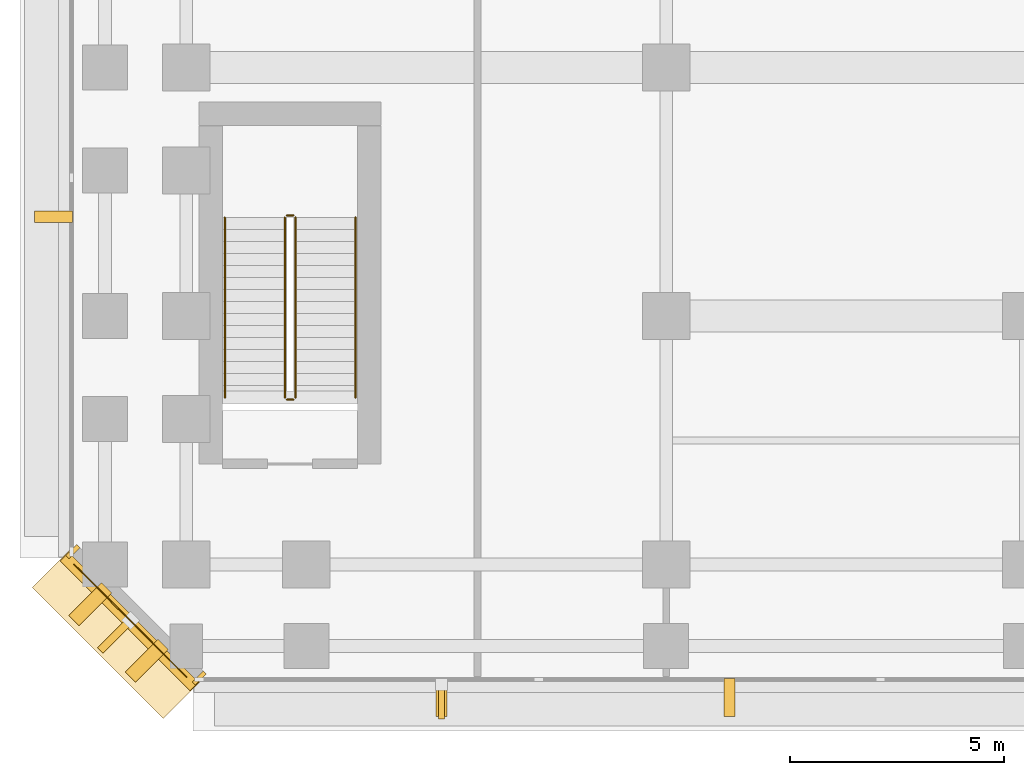
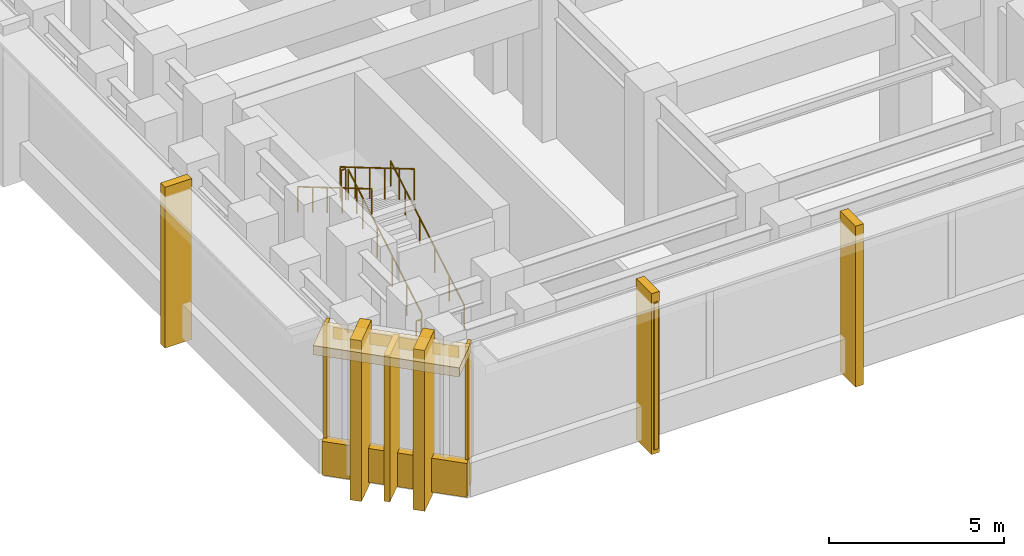
# One storey, part 13 of 20: 10 coverings, 6 railings, 2 shading devices.
"""IFC4 building model written with IfcOpenShell, lengths in metres."""

import ifcopenshell
import ifcopenshell.guid

model = None  # the IFC model being written
_history = None  # IfcOwnerHistory: only IFC2X3 demands one
_inside = {}  # id of a spatial element -> (the spatial element, [elements in it])
_under = {}  # id of a project, library or spatial element -> (it, [spatial elements below it])
_declared = {}  # id of a project -> (the project, [libraries it declares])
_typed = {}  # id of a type object -> (the type object, [elements of that type])
_made_of = {}  # id of a material, layer set ... -> (it, [elements and type objects made of it])


def new_model(schema):
    """Start an empty IFC model of exactly this schema.

    Asked for "IFC4X3", IfcOpenShell would pick the latest addendum, in which some entities
    have other attributes; the version numbers below select the first issue.
    IFC2X3 requires an IfcOwnerHistory on every rooted entity: one is made here for all.
    """
    global model, _history
    if schema == "IFC4X3":
        model = ifcopenshell.file(schema_version=(4, 3, 0, 0))
    else:
        model = ifcopenshell.file(schema=schema)
    _inside.clear()
    _under.clear()
    _declared.clear()
    _typed.clear()
    _made_of.clear()
    _history = None
    if model.schema == "IFC2X3":
        org = make("IfcOrganization", Name="unknown")
        user = make(
            "IfcPersonAndOrganization",
            ThePerson=make("IfcPerson", FamilyName="unknown"),
            TheOrganization=org,
        )
        app = make(
            "IfcApplication",
            ApplicationDeveloper=org,
            Version="unknown",
            ApplicationFullName="unknown",
            ApplicationIdentifier="unknown",
        )
        _history = make(
            "IfcOwnerHistory",
            OwningUser=user,
            OwningApplication=app,
            ChangeAction="ADDED",
            CreationDate=0,
        )
    return model


def make(cls, **values):
    """One entity of the class cls with the attributes given. An attribute that is None is left unset."""
    return model.create_entity(
        cls, **{name: value for name, value in values.items() if value is not None}
    )


def rooted(cls, **values):
    """An entity with a GlobalId (a new one), such as an element, a storey or a relation."""
    return make(cls, GlobalId=ifcopenshell.guid.new(), OwnerHistory=_history, **values)


def si_unit(unit_type, name, prefix=None):
    """IfcSIUnit, for example si_unit("LENGTHUNIT", "METRE", prefix="MILLI")."""
    return make("IfcSIUnit", UnitType=unit_type, Prefix=prefix, Name=name)


def assignment(units):
    """IfcUnitAssignment: the units of a project."""
    return None if units is None else make("IfcUnitAssignment", Units=units)


def point(xyz):
    """IfcCartesianPoint."""
    return None if xyz is None else make("IfcCartesianPoint", Coordinates=xyz)


def direction(xyz):
    """IfcDirection."""
    return None if xyz is None else make("IfcDirection", DirectionRatios=xyz)


def frame(location, z_axis=None, x_axis=None):
    """IfcAxis2Placement3D, a coordinate frame: its origin and axes. An axis left out is left unset."""
    return make(
        "IfcAxis2Placement3D",
        Location=point(location),
        Axis=direction(z_axis),
        RefDirection=direction(x_axis),
    )


def frame_2d(location, x_axis=None):
    """IfcAxis2Placement2D, a coordinate frame in the plane: its origin and x axis."""
    return make(
        "IfcAxis2Placement2D", Location=point(location), RefDirection=direction(x_axis)
    )


def origin():
    """The frame at (0, 0, 0) with its axes left unset."""
    return frame((0.0, 0.0, 0.0))


def origin_2d():
    """The frame at (0, 0) in the plane with its x axis left unset."""
    return frame_2d((0.0, 0.0))


def place(relative_to, where):
    """IfcLocalPlacement: puts the frame where relative to a parent placement (None: the world)."""
    return make(
        "IfcLocalPlacement", PlacementRelTo=relative_to, RelativePlacement=where
    )


def context(
    kind, dimensions, precision=None, world=None, true_north=None, identifier=None
):
    """IfcGeometricRepresentationContext, for example the 3D "Model" context."""
    return make(
        "IfcGeometricRepresentationContext",
        ContextIdentifier=identifier,
        ContextType=kind,
        CoordinateSpaceDimension=dimensions,
        Precision=precision,
        WorldCoordinateSystem=world,
        TrueNorth=true_north,
    )


def subcontext(parent, identifier, kind, view, scale=None):
    """IfcGeometricRepresentationSubContext, for example "Body" below "Model"."""
    return make(
        "IfcGeometricRepresentationSubContext",
        ContextIdentifier=identifier,
        ContextType=kind,
        ParentContext=parent,
        TargetScale=scale,
        TargetView=view,
    )


def project(units=None, contexts=None):
    """IfcProject with its units and contexts."""
    return rooted(
        "IfcProject",
        Name="project",
        RepresentationContexts=contexts,
        UnitsInContext=assignment(units),
    )


def spatial(cls, under=None, at=None, **own):
    """A site, building, storey or space (cls), placed at a placement, below another one or the project."""
    s = rooted(cls, ObjectPlacement=at, **own)
    if under is not None:
        _under.setdefault(under.id(), (under, []))[1].append(s)
    return s


def profile(cls, at=None, kind="AREA", **sizes):
    """A parametric profile (cls). Its sizes go by their IFC names, for example OverallWidth=200.0."""
    return make(cls, ProfileType=kind, Position=at, **sizes)


def rectangle(**sizes):
    """IfcRectangleProfileDef."""
    return profile("IfcRectangleProfileDef", **sizes)


def circle(**sizes):
    """IfcCircleProfileDef."""
    return profile("IfcCircleProfileDef", **sizes)


def extrude(swept, where, along, depth):
    """IfcExtrudedAreaSolid: the profile swept, set in the frame where, extruded along a direction by depth."""
    return make(
        "IfcExtrudedAreaSolid",
        SweptArea=swept,
        Position=where,
        ExtrudedDirection=direction(along),
        Depth=depth,
    )


def shape(context_of_items, identifier, shape_type, items):
    """IfcShapeRepresentation: the items that make up one representation, for example the "Body"."""
    return make(
        "IfcShapeRepresentation",
        ContextOfItems=context_of_items,
        RepresentationIdentifier=identifier,
        RepresentationType=shape_type,
        Items=items,
    )


def material(Name=None, Category=None):
    """IfcMaterial."""
    return make("IfcMaterial", Name=Name, Category=Category)


def layer(
    of_material, thickness, ventilated=None, Name=None, Category=None, Priority=None
):
    """IfcMaterialLayer: one layer of a wall or slab, of a material (None: an air gap)."""
    return make(
        "IfcMaterialLayer",
        Material=of_material,
        LayerThickness=thickness,
        IsVentilated=ventilated,
        Name=Name,
        Category=Category,
        Priority=Priority,
    )


def layer_set(layers, Name=None):
    """IfcMaterialLayerSet."""
    return make("IfcMaterialLayerSet", MaterialLayers=layers, LayerSetName=Name)


def material_profile(
    of_material, cross_section, Name=None, Category=None, Priority=None
):
    """IfcMaterialProfile: a cross section and its material."""
    return make(
        "IfcMaterialProfile",
        Name=Name,
        Material=of_material,
        Profile=cross_section,
        Priority=Priority,
        Category=Category,
    )


def profile_set(profiles, Name=None, composite=None):
    """IfcMaterialProfileSet."""
    return make(
        "IfcMaterialProfileSet",
        Name=Name,
        MaterialProfiles=profiles,
        CompositeProfile=composite,
    )


def made_of(thing, what):
    """Note that an element or type object is made of a material, layer set ...; save() writes the relation."""
    if what is not None:
        _made_of.setdefault(what.id(), (what, []))[1].append(thing)
    return thing


def type_object(cls, material=None, **own):
    """A type object (cls), such as IfcWallType, which elements share."""
    return made_of(rooted(cls, **own), material)


def element(
    cls,
    number,
    at=None,
    inside=None,
    cuts=None,
    type_object=None,
    material=None,
    context=None,
    identifier="Body",
    shape_type=None,
    held_by="IfcProductDefinitionShape",
    body=None,
    shapes=None,
    **own,
):
    """One element of the class cls, such as IfcWall. Its Tag is "e" and its number.

    at: its placement. inside: the storey or other place that contains it. cuts: it is an
    opening in that element (IfcRelVoidsElement). A single representation is given by context,
    identifier, shape_type and body (its items); several are given by shapes. held_by: the class
    of the entity that holds the representations. save() writes the other relations.
    """
    e = rooted(cls, Tag="e%d" % number, ObjectPlacement=at, **own)
    if body is not None:
        shapes = [shape(context, identifier, shape_type, body)]
    if shapes is not None:
        e.Representation = make(held_by, Representations=shapes)
    if inside is not None:
        _inside.setdefault(inside.id(), (inside, []))[1].append(e)
    if cuts is not None:
        rooted(
            "IfcRelVoidsElement", RelatingBuildingElement=cuts, RelatedOpeningElement=e
        )
    if type_object is not None:
        _typed.setdefault(type_object.id(), (type_object, []))[1].append(e)
    return made_of(e, material)


def aggregate(whole, parts):
    """IfcRelAggregates: a whole, such as a stair, and the parts it consists of."""
    return rooted("IfcRelAggregates", RelatingObject=whole, RelatedObjects=parts)


def save(model, path):
    """Write the relations noted so far, then the file.

    IfcRelAggregates (storeys below a building ...), IfcRelContainedInSpatialStructure (elements
    in a storey), IfcRelDefinesByType, IfcRelAssociatesMaterial and IfcRelDeclares: one each for
    every whole, place, type object, material and project.
    """
    for whole, parts in _under.values():
        aggregate(whole, parts)
    for where, things in _inside.values():
        rooted(
            "IfcRelContainedInSpatialStructure",
            RelatedElements=things,
            RelatingStructure=where,
        )
    for kind, things in _typed.values():
        rooted("IfcRelDefinesByType", RelatedObjects=things, RelatingType=kind)
    for what, things in _made_of.values():
        rooted("IfcRelAssociatesMaterial", RelatedObjects=things, RelatingMaterial=what)
    for by, libraries in _declared.values():
        rooted("IfcRelDeclares", RelatingContext=by, RelatedDefinitions=libraries)
    model.write(path)


model = new_model("IFC4")

# Units and contexts
model_context = context("Model", 3, precision=1e-05, world=origin(), true_north=direction((0.0, 1.0)))
body_context = subcontext(model_context, "Body", "Model", "MODEL_VIEW")
ifc_project = project(units=[si_unit("LENGTHUNIT", "METRE"), si_unit("AREAUNIT", "SQUARE_METRE"), si_unit("VOLUMEUNIT", "CUBIC_METRE"), si_unit("PLANEANGLEUNIT", "RADIAN"), si_unit("MASSUNIT", "GRAM", prefix="KILO")], contexts=[model_context])

# Site, building, storey
site_placement = place(None, origin())
site = spatial("IfcSite", under=ifc_project, at=site_placement, CompositionType="ELEMENT")
building_placement = place(site_placement, origin())
building = spatial("IfcBuilding", under=site, at=building_placement, Name="Kefirva Bronze Tower", CompositionType="ELEMENT")
storey_placement = place(building_placement, frame((0.0, 0.0, 5.93994140625)))
storey = spatial("IfcBuildingStorey", under=building, at=storey_placement, Name="L01", CompositionType="ELEMENT", Elevation=5.93994140625)

# Coverings
ifc_material_1 = material(Name="Bronze anodised aluminium", Category="aluminium")
ifc_layer_1 = layer(ifc_material_1, 0.02001953125, Name="Bronze anodised aluminium")
ifc_layer_set_1 = layer_set([ifc_layer_1], Name="Bronze anodised aluminium")
covering_type_1 = type_object("IfcCoveringType", Name="Anodised Bronze Spandrel Cladding 20mm", PredefinedType="CLADDING", material=ifc_layer_set_1)
covering_1_placement = place(storey_placement, frame((-0.507080078125, -0.507080078125, 4.5400390625), z_axis=(0.0, 0.0, 1.0), x_axis=(0.707106781187, -0.707106781187, 0.0)))
element("IfcCovering", 1, at=covering_1_placement, inside=storey, type_object=covering_type_1, Name="L01 Bronze Spandrel Cladding 7", PredefinedType="CLADDING", context=body_context, shape_type="SweptSolid", body=[
    extrude(rectangle(XDim=3.719482421875, YDim=0.02001953125, at=origin_2d()), origin(), (0.0, 0.0, 1.0), 0.39990234375),
])
for number, where, z_axis, x_axis, name in (
    (2, (-1.847900390625, 1.1025390625, 0.0), (0.0, 0.0, 1.0), (0.707106781187, -0.707106781187, 0.0), "L01 Facade Joint Closure Panel 7S"),
    (3, (1.1025390625, -1.847900390625, 0.0), (0.0, 0.0, 1.0), (0.707106781187, -0.707106781187, 0.0), "L01 Facade Joint Closure Panel 7E"),
):
    element("IfcCovering", number, at=place(storey_placement, frame(where, z_axis=z_axis, x_axis=x_axis)), inside=storey, type_object=covering_type_1, Name=name, PredefinedType="CLADDING", context=body_context, shape_type="SweptSolid", body=[
        extrude(rectangle(XDim=0.10009765625, YDim=0.360107421875, at=origin_2d()), origin(), (0.0, 0.0, 1.0), 4.9599609375),
    ])
covering_2_placement = place(storey_placement, frame((-0.5283203125, -0.5283203125, -0.15966796875), z_axis=(0.0, 0.0, 1.0), x_axis=(0.707106781187, -0.707106781187, 0.0)))
element("IfcCovering", 4, at=covering_2_placement, inside=storey, type_object=covering_type_1, Name="L01 Streamline Horizontal Spandrel Band 11", PredefinedType="CLADDING", context=body_context, shape_type="SweptSolid", body=[
    extrude(rectangle(XDim=4.28271484375, YDim=0.280029296875, at=origin_2d()), origin(), (0.0, 0.0, 1.0), 1.179931640625),
])

# Shading device
ifc_material_profile_1 = material_profile(ifc_material_1, rectangle(XDim=0.179931640625, YDim=1.080078125, at=origin_2d()), Name="BRONZE BUTTRESS FIN 180x1080")
ifc_profile_set_1 = profile_set([ifc_material_profile_1], Name="Bronze anodised aluminium")
shading_device_type_1 = type_object("IfcShadingDeviceType", Name="Chamfered Corner Buttress Bronze Fin 1080mm", PredefinedType="USERDEFINED", material=ifc_profile_set_1)
shading_device_1_placement = place(storey_placement, frame((-0.8251953125, -0.8251953125, -0.139892578125), z_axis=(0.0, 0.0, 1.0), x_axis=(0.707106781187, -0.707106781187, 0.0)))
element("IfcShadingDevice", 5, at=shading_device_1_placement, inside=storey, type_object=shading_device_type_1, Name="L01 Chamfered Corner Buttress Fin 34", ObjectType="VERTICAL FIN", PredefinedType="USERDEFINED", context=body_context, shape_type="SweptSolid", body=[
    extrude(rectangle(XDim=0.179931640625, YDim=1.080078125, at=origin_2d()), origin(), (0.0, 0.0, 1.0), 5.099853515625),
])

# Railings
ifc_material_2 = material(Name="Stainless steel 316", Category="steel")
railing_type_1 = type_object("IfcRailingType", Name="Interior Stair Guardrail 1100mm", PredefinedType="GUARDRAIL", material=ifc_material_2)
railing_1_placement = place(storey_placement, frame((3.35009765625, 4.699951171875, 0.1650390625)))
element("IfcRailing", 6, at=railing_1_placement, inside=storey, type_object=railing_type_1, Name="L01 ST-3 stair guard 1", PredefinedType="GUARDRAIL", context=body_context, shape_type="SweptSolid", body=[
    extrude(circle(Radius=0.02392578125, at=origin_2d()), frame((0.0, 0.0, 1.076171875), z_axis=(0.0, 0.861527117747, 0.50771155727), x_axis=(-1.0, 0.0, 0.0)), (0.0, 0.0, 1.0), 4.875),
    extrude(circle(Radius=0.02099609375, at=origin_2d()), origin(), (0.0, 0.0, 1.0), 1.052001953125),
    extrude(circle(Radius=0.02099609375, at=origin_2d()), frame((0.0, 0.840087890625, 0.4951171875)), (0.0, 0.0, 1.0), 1.052001953125),
    extrude(circle(Radius=0.02099609375, at=origin_2d()), frame((0.0, 1.679931640625, 0.989990234375)), (0.0, 0.0, 1.0), 1.052001953125),
    extrude(circle(Radius=0.02099609375, at=origin_2d()), frame((0.0, 2.52001953125, 1.485107421875)), (0.0, 0.0, 1.0), 1.052001953125),
    extrude(circle(Radius=0.02099609375, at=origin_2d()), frame((0.0, 3.35986328125, 1.97998046875)), (0.0, 0.0, 1.0), 1.052001953125),
    extrude(circle(Radius=0.02099609375, at=origin_2d()), frame((0.0, 4.199951171875, 2.47509765625)), (0.0, 0.0, 1.0), 1.052001953125),
])
railing_2_placement = place(storey_placement, frame((3.300048828125, 8.949951171875, 2.64013671875)))
element("IfcRailing", 7, at=railing_2_placement, inside=storey, type_object=railing_type_1, Name="L01 ST-3 stair guard 2", PredefinedType="GUARDRAIL", context=body_context, shape_type="SweptSolid", body=[
    extrude(circle(Radius=0.02392578125, at=origin_2d()), frame((0.0, 0.0, 1.076171875), z_axis=(-1.0, 0.0, 0.0), x_axis=(0.0, -1.0, 0.0)), (0.0, 0.0, 1.0), 0.150146484375),
    extrude(circle(Radius=0.02099609375, at=origin_2d()), origin(), (0.0, 0.0, 1.0), 1.052001953125),
    extrude(circle(Radius=0.02099609375, at=origin_2d()), frame((-0.150146484375, 0.0, 0.0)), (0.0, 0.0, 1.0), 1.052001953125),
])
railing_3_placement = place(storey_placement, frame((3.10009765625, 8.89990234375, 2.80517578125)))
element("IfcRailing", 8, at=railing_3_placement, inside=storey, type_object=railing_type_1, Name="L01 ST-3 stair guard 3", PredefinedType="GUARDRAIL", context=body_context, shape_type="SweptSolid", body=[
    extrude(circle(Radius=0.02392578125, at=origin_2d()), frame((0.0, 0.0, 1.076171875), z_axis=(0.0, -0.861549022881, 0.507674384988), x_axis=(1.0, 0.0, 0.0)), (0.0, 0.0, 1.0), 4.875),
    extrude(circle(Radius=0.02099609375, at=origin_2d()), origin(), (0.0, 0.0, 1.0), 1.052001953125),
    extrude(circle(Radius=0.02099609375, at=origin_2d()), frame((0.0, -0.840087890625, 0.494873046875)), (0.0, 0.0, 1.0), 1.052001953125),
    extrude(circle(Radius=0.02099609375, at=origin_2d()), frame((0.0, -1.679931640625, 0.989990234375)), (0.0, 0.0, 1.0), 1.052001953125),
    extrude(circle(Radius=0.02099609375, at=origin_2d()), frame((0.0, -2.52001953125, 1.48486328125)), (0.0, 0.0, 1.0), 1.052001953125),
    extrude(circle(Radius=0.02099609375, at=origin_2d()), frame((0.0, -3.35986328125, 1.97998046875)), (0.0, 0.0, 1.0), 1.052001953125),
    extrude(circle(Radius=0.02099609375, at=origin_2d()), frame((0.0, -4.199951171875, 2.474853515625)), (0.0, 0.0, 1.0), 1.052001953125),
])
railing_4_placement = place(storey_placement, frame((3.300048828125, 4.64990234375, 0.0)))
element("IfcRailing", 9, at=railing_4_placement, inside=storey, type_object=railing_type_1, Name="L01 ST-3 stair guard 4", PredefinedType="GUARDRAIL", context=body_context, shape_type="SweptSolid", body=[
    extrude(circle(Radius=0.02392578125, at=origin_2d()), frame((0.0, 0.0, 1.076171875), z_axis=(-1.0, 0.0, 0.0), x_axis=(0.0, -1.0, 0.0)), (0.0, 0.0, 1.0), 0.150146484375),
    extrude(circle(Radius=0.02099609375, at=origin_2d()), origin(), (0.0, 0.0, 1.0), 1.052001953125),
    extrude(circle(Radius=0.02099609375, at=origin_2d()), frame((-0.150146484375, 0.0, 0.0)), (0.0, 0.0, 1.0), 1.052001953125),
])
railing_type_2 = type_object("IfcRailingType", Name="Stair Pitch Handrail 900mm", PredefinedType="HANDRAIL", material=ifc_material_2)
railing_5_placement = place(storey_placement, frame((4.75, 4.699951171875, 0.1650390625)))
element("IfcRailing", 10, at=railing_5_placement, inside=storey, type_object=railing_type_2, Name="L01 ST-3 stair handrail 1", PredefinedType="HANDRAIL", context=body_context, shape_type="SweptSolid", body=[
    extrude(circle(Radius=0.02392578125, at=origin_2d()), frame((0.0, 0.0, 0.8759765625), z_axis=(0.0, 0.861527117747, 0.50771155727), x_axis=(-1.0, 0.0, 0.0)), (0.0, 0.0, 1.0), 4.875),
    extrude(circle(Radius=0.02099609375, at=origin_2d()), origin(), (0.0, 0.0, 1.0), 0.851806640625),
    extrude(circle(Radius=0.02099609375, at=origin_2d()), frame((0.0, 0.840087890625, 0.4951171875)), (0.0, 0.0, 1.0), 0.851806640625),
    extrude(circle(Radius=0.02099609375, at=origin_2d()), frame((0.0, 1.679931640625, 0.989990234375)), (0.0, 0.0, 1.0), 0.851806640625),
    extrude(circle(Radius=0.02099609375, at=origin_2d()), frame((0.0, 2.52001953125, 1.485107421875)), (0.0, 0.0, 1.0), 0.851806640625),
    extrude(circle(Radius=0.02099609375, at=origin_2d()), frame((0.0, 3.35986328125, 1.97998046875)), (0.0, 0.0, 1.0), 0.851806640625),
    extrude(circle(Radius=0.02099609375, at=origin_2d()), frame((0.0, 4.199951171875, 2.47509765625)), (0.0, 0.0, 1.0), 0.851806640625),
])
railing_6_placement = place(storey_placement, frame((1.699951171875, 8.89990234375, 2.80517578125)))
element("IfcRailing", 11, at=railing_6_placement, inside=storey, type_object=railing_type_2, Name="L01 ST-3 stair handrail 2", PredefinedType="HANDRAIL", context=body_context, shape_type="SweptSolid", body=[
    extrude(circle(Radius=0.02392578125, at=origin_2d()), frame((0.0, 0.0, 0.8759765625), z_axis=(0.0, -0.861549022881, 0.507674384988), x_axis=(1.0, 0.0, 0.0)), (0.0, 0.0, 1.0), 4.875),
    extrude(circle(Radius=0.02099609375, at=origin_2d()), origin(), (0.0, 0.0, 1.0), 0.851806640625),
    extrude(circle(Radius=0.02099609375, at=origin_2d()), frame((0.0, -0.840087890625, 0.494873046875)), (0.0, 0.0, 1.0), 0.851806640625),
    extrude(circle(Radius=0.02099609375, at=origin_2d()), frame((0.0, -1.679931640625, 0.989990234375)), (0.0, 0.0, 1.0), 0.851806640625),
    extrude(circle(Radius=0.02099609375, at=origin_2d()), frame((0.0, -2.52001953125, 1.48486328125)), (0.0, 0.0, 1.0), 0.851806640625),
    extrude(circle(Radius=0.02099609375, at=origin_2d()), frame((0.0, -3.35986328125, 1.97998046875)), (0.0, 0.0, 1.0), 0.851806640625),
    extrude(circle(Radius=0.02099609375, at=origin_2d()), frame((0.0, -4.199951171875, 2.474853515625)), (0.0, 0.0, 1.0), 0.851806640625),
])

# Coverings
ifc_layer_2 = layer(ifc_material_1, 0.179931640625, Name="Bronze anodised aluminium")
ifc_layer_set_2 = layer_set([ifc_layer_2], Name="Bronze anodised aluminium")
covering_type_2 = type_object("IfcCoveringType", Name="Streamline Bronze Sunshade Eyebrow Cladding 180mm", PredefinedType="CLADDING", material=ifc_layer_set_2)
covering_3_placement = place(storey_placement, frame((-0.8251953125, -0.8251953125, 4.64013671875), z_axis=(0.0, 0.0, 1.0), x_axis=(0.707106781187, -0.707106781187, 0.0)))
element("IfcCovering", 12, at=covering_3_placement, inside=storey, type_object=covering_type_2, Name="L01 Streamline Bronze Sunshade Eyebrow 11", PredefinedType="CLADDING", context=body_context, shape_type="SweptSolid", body=[
    extrude(rectangle(XDim=4.322509765625, YDim=1.239990234375, at=origin_2d()), origin(), (0.0, 0.0, 1.0), 0.320068359375),
])
ifc_layer_3 = layer(ifc_material_1, 0.260009765625, Name="Bronze anodised aluminium")
ifc_layer_set_3 = layer_set([ifc_layer_3], Name="Bronze anodised aluminium")
covering_type_3 = type_object("IfcCoveringType", Name="Unbroken Bronze Buttress Fin Cladding 260mm", PredefinedType="CLADDING", material=ifc_layer_set_3)
for number, where, z_axis, x_axis, name in (
    (13, (6.760009765625, -2.300048828125, -0.320068359375), (0.0, 0.0, 1.0), (1.0, 0.0, 0.0), "L01 Unbroken Vertical Bronze Rib Fin 1"),
    (14, (13.47998046875, -2.300048828125, -0.320068359375), (0.0, 0.0, 1.0), (1.0, 0.0, 0.0), "L01 Unbroken Vertical Bronze Rib Fin 2"),
    (15, (-2.300048828125, 8.919921875, -0.320068359375), (0.0, 0.0, 1.0), (0.0, -1.0, 0.0), "L01 Unbroken Vertical Bronze Rib Fin 32"),
):
    element("IfcCovering", number, at=place(storey_placement, frame(where, z_axis=z_axis, x_axis=x_axis)), inside=storey, type_object=covering_type_3, Name=name, PredefinedType="CLADDING", context=body_context, shape_type="SweptSolid", body=[
        extrude(rectangle(XDim=0.260009765625, YDim=0.8798828125, at=origin_2d()), origin(), (0.0, 0.0, 1.0), 5.60009765625),
    ])
for number, where, z_axis, x_axis, name in (
    (16, (-1.44287109375, -0.122802734375, -0.320068359375), (0.0, 0.0, 1.0), (0.707106781187, -0.707106781187, 0.0), "L01 Chamfered Corner Buttress Fin Cladding 33"),
    (17, (-0.122802734375, -1.44287109375, -0.320068359375), (0.0, 0.0, 1.0), (0.707106781187, -0.707106781187, 0.0), "L01 Chamfered Corner Buttress Fin Cladding 34"),
):
    element("IfcCovering", number, at=place(storey_placement, frame(where, z_axis=z_axis, x_axis=x_axis)), inside=storey, type_object=covering_type_3, Name=name, PredefinedType="CLADDING", context=body_context, shape_type="SweptSolid", body=[
        extrude(rectangle(XDim=0.340087890625, YDim=1.080078125, at=origin_2d()), origin(), (0.0, 0.0, 1.0), 5.60009765625),
    ])

# Shading device
ifc_material_profile_2 = material_profile(ifc_material_1, rectangle(XDim=0.139892578125, YDim=0.8798828125, at=origin_2d()), Name="BRONZE FIN 140x880")
ifc_profile_set_2 = profile_set([ifc_material_profile_2], Name="Bronze anodised aluminium")
shading_device_type_2 = type_object("IfcShadingDeviceType", Name="Unbroken Vertical Bronze Facade Fin 880mm", PredefinedType="USERDEFINED", material=ifc_profile_set_2)
shading_device_2_placement = place(storey_placement, frame((6.760009765625, -2.360107421875, -0.139892578125), z_axis=(0.0, 0.0, 1.0), x_axis=(1.0, 0.0, 0.0)))
element("IfcShadingDevice", 18, at=shading_device_2_placement, inside=storey, type_object=shading_device_type_2, Name="L01 Vertical Bronze Rib Fin 1", ObjectType="VERTICAL FIN", PredefinedType="USERDEFINED", context=body_context, shape_type="SweptSolid", body=[
    extrude(rectangle(XDim=0.139892578125, YDim=0.8798828125, at=origin_2d()), origin(), (0.0, 0.0, 1.0), 5.099853515625),
])

save(model, "model.ifc")
